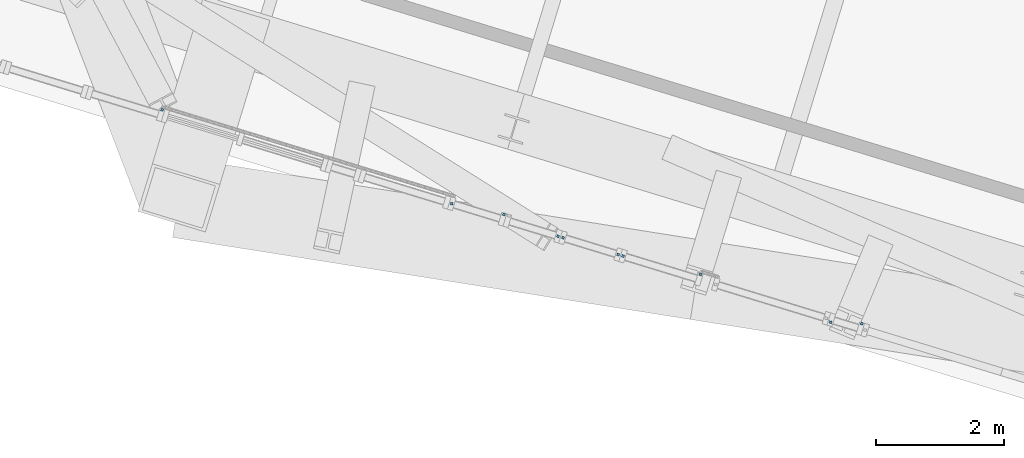
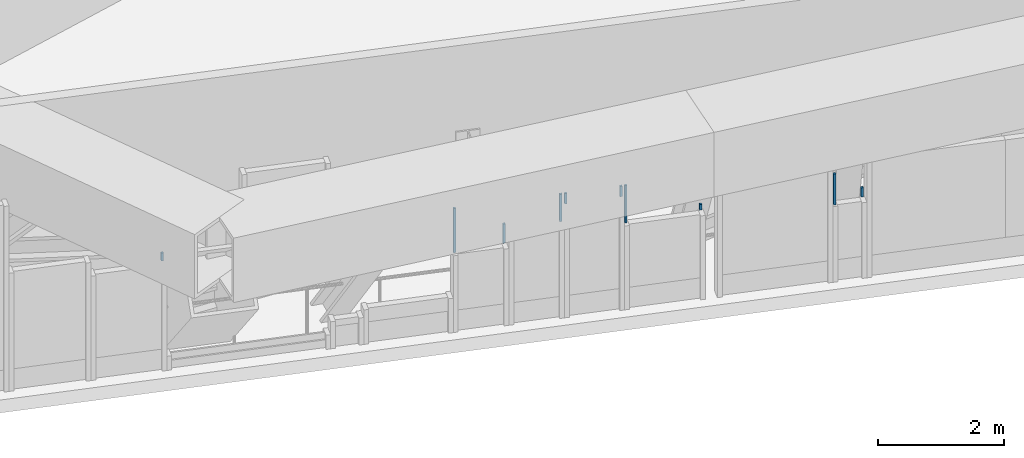
# One storey, part 23 of 31: 10 discrete accessories.
"""IFC4 building model written with IfcOpenShell, lengths in metres."""

import ifcopenshell
import ifcopenshell.guid

model = None  # the IFC model being written
_history = None  # IfcOwnerHistory: only IFC2X3 demands one
_inside = {}  # id of a spatial element -> (the spatial element, [elements in it])
_under = {}  # id of a project, library or spatial element -> (it, [spatial elements below it])
_declared = {}  # id of a project -> (the project, [libraries it declares])
_typed = {}  # id of a type object -> (the type object, [elements of that type])
_made_of = {}  # id of a material, layer set ... -> (it, [elements and type objects made of it])


def new_model(schema):
    """Start an empty IFC model of exactly this schema.

    Asked for "IFC4X3", IfcOpenShell would pick the latest addendum, in which some entities
    have other attributes; the version numbers below select the first issue.
    IFC2X3 requires an IfcOwnerHistory on every rooted entity: one is made here for all.
    """
    global model, _history
    if schema == "IFC4X3":
        model = ifcopenshell.file(schema_version=(4, 3, 0, 0))
    else:
        model = ifcopenshell.file(schema=schema)
    _inside.clear()
    _under.clear()
    _declared.clear()
    _typed.clear()
    _made_of.clear()
    _history = None
    if model.schema == "IFC2X3":
        org = make("IfcOrganization", Name="unknown")
        user = make(
            "IfcPersonAndOrganization",
            ThePerson=make("IfcPerson", FamilyName="unknown"),
            TheOrganization=org,
        )
        app = make(
            "IfcApplication",
            ApplicationDeveloper=org,
            Version="unknown",
            ApplicationFullName="unknown",
            ApplicationIdentifier="unknown",
        )
        _history = make(
            "IfcOwnerHistory",
            OwningUser=user,
            OwningApplication=app,
            ChangeAction="ADDED",
            CreationDate=0,
        )
    return model


def make(cls, **values):
    """One entity of the class cls with the attributes given. An attribute that is None is left unset."""
    return model.create_entity(
        cls, **{name: value for name, value in values.items() if value is not None}
    )


def rooted(cls, **values):
    """An entity with a GlobalId (a new one), such as an element, a storey or a relation."""
    return make(cls, GlobalId=ifcopenshell.guid.new(), OwnerHistory=_history, **values)


def si_unit(unit_type, name, prefix=None):
    """IfcSIUnit, for example si_unit("LENGTHUNIT", "METRE", prefix="MILLI")."""
    return make("IfcSIUnit", UnitType=unit_type, Prefix=prefix, Name=name)


def assignment(units):
    """IfcUnitAssignment: the units of a project."""
    return None if units is None else make("IfcUnitAssignment", Units=units)


def point(xyz):
    """IfcCartesianPoint."""
    return None if xyz is None else make("IfcCartesianPoint", Coordinates=xyz)


def direction(xyz):
    """IfcDirection."""
    return None if xyz is None else make("IfcDirection", DirectionRatios=xyz)


def frame(location, z_axis=None, x_axis=None):
    """IfcAxis2Placement3D, a coordinate frame: its origin and axes. An axis left out is left unset."""
    return make(
        "IfcAxis2Placement3D",
        Location=point(location),
        Axis=direction(z_axis),
        RefDirection=direction(x_axis),
    )


def frame_2d(location, x_axis=None):
    """IfcAxis2Placement2D, a coordinate frame in the plane: its origin and x axis."""
    return make(
        "IfcAxis2Placement2D", Location=point(location), RefDirection=direction(x_axis)
    )


def origin():
    """The frame at (0, 0, 0) with its axes left unset."""
    return frame((0.0, 0.0, 0.0))


def origin_2d():
    """The frame at (0, 0) in the plane with its x axis left unset."""
    return frame_2d((0.0, 0.0))


def place(relative_to, where):
    """IfcLocalPlacement: puts the frame where relative to a parent placement (None: the world)."""
    return make(
        "IfcLocalPlacement", PlacementRelTo=relative_to, RelativePlacement=where
    )


def context(
    kind, dimensions, precision=None, world=None, true_north=None, identifier=None
):
    """IfcGeometricRepresentationContext, for example the 3D "Model" context."""
    return make(
        "IfcGeometricRepresentationContext",
        ContextIdentifier=identifier,
        ContextType=kind,
        CoordinateSpaceDimension=dimensions,
        Precision=precision,
        WorldCoordinateSystem=world,
        TrueNorth=true_north,
    )


def subcontext(parent, identifier, kind, view, scale=None):
    """IfcGeometricRepresentationSubContext, for example "Body" below "Model"."""
    return make(
        "IfcGeometricRepresentationSubContext",
        ContextIdentifier=identifier,
        ContextType=kind,
        ParentContext=parent,
        TargetScale=scale,
        TargetView=view,
    )


def project(units=None, contexts=None):
    """IfcProject with its units and contexts."""
    return rooted(
        "IfcProject",
        Name="project",
        RepresentationContexts=contexts,
        UnitsInContext=assignment(units),
    )


def spatial(cls, under=None, at=None, **own):
    """A site, building, storey or space (cls), placed at a placement, below another one or the project."""
    s = rooted(cls, ObjectPlacement=at, **own)
    if under is not None:
        _under.setdefault(under.id(), (under, []))[1].append(s)
    return s


def profile(cls, at=None, kind="AREA", **sizes):
    """A parametric profile (cls). Its sizes go by their IFC names, for example OverallWidth=200.0."""
    return make(cls, ProfileType=kind, Position=at, **sizes)


def rectangle(**sizes):
    """IfcRectangleProfileDef."""
    return profile("IfcRectangleProfileDef", **sizes)


def extrude(swept, where, along, depth):
    """IfcExtrudedAreaSolid: the profile swept, set in the frame where, extruded along a direction by depth."""
    return make(
        "IfcExtrudedAreaSolid",
        SweptArea=swept,
        Position=where,
        ExtrudedDirection=direction(along),
        Depth=depth,
    )


def shape(context_of_items, identifier, shape_type, items):
    """IfcShapeRepresentation: the items that make up one representation, for example the "Body"."""
    return make(
        "IfcShapeRepresentation",
        ContextOfItems=context_of_items,
        RepresentationIdentifier=identifier,
        RepresentationType=shape_type,
        Items=items,
    )


def source(mapping_origin, context_of_items, identifier, shape_type, items):
    """IfcRepresentationMap: a shape defined once, which mapped items show again and again."""
    return make(
        "IfcRepresentationMap",
        MappingOrigin=mapping_origin,
        MappedRepresentation=shape(context_of_items, identifier, shape_type, items),
    )


def transform(
    local_origin,
    x_axis=None,
    y_axis=None,
    z_axis=None,
    scale=None,
    scale2=None,
    scale3=None,
    uniform=True,
):
    """IfcCartesianTransformationOperator3D, or its non-uniform kind. x_axis, y_axis, z_axis: its Axis1, 2, 3."""
    if uniform:
        return make(
            "IfcCartesianTransformationOperator3D",
            Axis1=direction(x_axis),
            Axis2=direction(y_axis),
            LocalOrigin=point(local_origin),
            Scale=scale,
            Axis3=direction(z_axis),
        )
    return make(
        "IfcCartesianTransformationOperator3DnonUniform",
        Axis1=direction(x_axis),
        Axis2=direction(y_axis),
        LocalOrigin=point(local_origin),
        Scale=scale,
        Axis3=direction(z_axis),
        Scale2=scale2,
        Scale3=scale3,
    )


def mapped(mapping_source, mapping_target):
    """IfcMappedItem: shows the shape of a source again, moved by a transform."""
    return make(
        "IfcMappedItem", MappingSource=mapping_source, MappingTarget=mapping_target
    )


def material(Name=None, Category=None):
    """IfcMaterial."""
    return make("IfcMaterial", Name=Name, Category=Category)


def made_of(thing, what):
    """Note that an element or type object is made of a material, layer set ...; save() writes the relation."""
    if what is not None:
        _made_of.setdefault(what.id(), (what, []))[1].append(thing)
    return thing


def element(
    cls,
    number,
    at=None,
    inside=None,
    cuts=None,
    type_object=None,
    material=None,
    context=None,
    identifier="Body",
    shape_type=None,
    held_by="IfcProductDefinitionShape",
    body=None,
    shapes=None,
    **own,
):
    """One element of the class cls, such as IfcWall. Its Tag is "e" and its number.

    at: its placement. inside: the storey or other place that contains it. cuts: it is an
    opening in that element (IfcRelVoidsElement). A single representation is given by context,
    identifier, shape_type and body (its items); several are given by shapes. held_by: the class
    of the entity that holds the representations. save() writes the other relations.
    """
    e = rooted(cls, Tag="e%d" % number, ObjectPlacement=at, **own)
    if body is not None:
        shapes = [shape(context, identifier, shape_type, body)]
    if shapes is not None:
        e.Representation = make(held_by, Representations=shapes)
    if inside is not None:
        _inside.setdefault(inside.id(), (inside, []))[1].append(e)
    if cuts is not None:
        rooted(
            "IfcRelVoidsElement", RelatingBuildingElement=cuts, RelatedOpeningElement=e
        )
    if type_object is not None:
        _typed.setdefault(type_object.id(), (type_object, []))[1].append(e)
    return made_of(e, material)


def aggregate(whole, parts):
    """IfcRelAggregates: a whole, such as a stair, and the parts it consists of."""
    return rooted("IfcRelAggregates", RelatingObject=whole, RelatedObjects=parts)


def save(model, path):
    """Write the relations noted so far, then the file.

    IfcRelAggregates (storeys below a building ...), IfcRelContainedInSpatialStructure (elements
    in a storey), IfcRelDefinesByType, IfcRelAssociatesMaterial and IfcRelDeclares: one each for
    every whole, place, type object, material and project.
    """
    for whole, parts in _under.values():
        aggregate(whole, parts)
    for where, things in _inside.values():
        rooted(
            "IfcRelContainedInSpatialStructure",
            RelatedElements=things,
            RelatingStructure=where,
        )
    for kind, things in _typed.values():
        rooted("IfcRelDefinesByType", RelatedObjects=things, RelatingType=kind)
    for what, things in _made_of.values():
        rooted("IfcRelAssociatesMaterial", RelatedObjects=things, RelatingMaterial=what)
    for by, libraries in _declared.values():
        rooted("IfcRelDeclares", RelatingContext=by, RelatedDefinitions=libraries)
    model.write(path)


model = new_model("IFC4")

# Units and contexts
model_context = context("Model", 3, precision=1e-05, world=origin(), true_north=direction((0.0, 1.0)))
body_context = subcontext(model_context, "Body", "Model", "MODEL_VIEW")
ifc_project = project(units=[si_unit("LENGTHUNIT", "METRE"), si_unit("AREAUNIT", "SQUARE_METRE"), si_unit("VOLUMEUNIT", "CUBIC_METRE"), si_unit("PLANEANGLEUNIT", "RADIAN"), si_unit("MASSUNIT", "GRAM", prefix="KILO")], contexts=[model_context])

# Site, building, storey
site_placement = place(None, origin())
site = spatial("IfcSite", under=ifc_project, at=site_placement, CompositionType="ELEMENT")
building_placement = place(site_placement, origin())
building = spatial("IfcBuilding", under=site, at=building_placement, Name="Triune Harvest Tower", CompositionType="ELEMENT")
storey_placement = place(building_placement, frame((0.0, 0.0, 134.300048828125)))
storey = spatial("IfcBuildingStorey", under=building, at=storey_placement, Name="L34", CompositionType="ELEMENT", Elevation=134.300048828125)

# Discrete accessories
ifc_material = material(Name="Steel ASTM A992 Gr 50", Category="steel")
shared_shape_1 = source(origin(), body_context, "Body", "SweptSolid", [
    extrude(rectangle(XDim=0.0400390625, YDim=0.0400390625, at=origin_2d()), origin(), (0.0, 0.0, 1.0), 0.8623046875),
])
discrete_accessory_1_placement = place(storey_placement, frame((-23.0908203125, -15.970947265625, 1.487548828125), z_axis=(0.0, 0.0, 1.0), x_axis=(0.956313940619, -0.292341661379, 0.0)))
element("IfcDiscreteAccessory", 1, at=discrete_accessory_1_placement, inside=storey, material=ifc_material, Name="Mullion end bracket B3-F5 L34.701 upper", ObjectType="BRACKET", PredefinedType="USERDEFINED", context=body_context, shape_type="MappedRepresentation", body=[
    mapped(shared_shape_1, transform((0.0, 0.0, 0.0), scale=1.0)),
])
shared_shape_2 = source(origin(), body_context, "Body", "SweptSolid", [
    extrude(rectangle(XDim=0.0400390625, YDim=0.0400390625, at=origin_2d()), origin(), (0.0, 0.0, 1.0), 0.53271484375),
])
discrete_accessory_2_placement = place(storey_placement, frame((-21.43310546875, -16.477783203125, 1.817138671875), z_axis=(0.0, 0.0, 1.0), x_axis=(0.95628281102, -0.292443473766, 0.0)))
element("IfcDiscreteAccessory", 2, at=discrete_accessory_2_placement, inside=storey, material=ifc_material, Name="Mullion end bracket B3-F5 L34.801 upper", ObjectType="BRACKET", PredefinedType="USERDEFINED", context=body_context, shape_type="MappedRepresentation", body=[
    mapped(shared_shape_2, transform((0.0, 0.0, 0.0), scale=1.0)),
])
shared_shape_3 = source(origin(), body_context, "Body", "SweptSolid", [
    extrude(rectangle(XDim=0.0400390625, YDim=0.0400390625, at=origin_2d()), origin(), (0.0, 0.0, 1.0), 0.203369140625),
])
for number, where, z_axis, x_axis, name in (
    (3, (-21.3564453125, -16.501220703125, 2.146484375), (0.0, 0.0, 1.0), (0.956293528991, -0.292408423974, 0.0), "Mullion end bracket B3-F5 L34.901 upper"),
    (4, (-20.49560546875, -16.764404296875, 2.146484375), (0.0, 0.0, 1.0), (0.956293528991, -0.292408423974, 0.0), "Mullion end bracket B3-F5 L34.901 upper"),
):
    element("IfcDiscreteAccessory", number, at=place(storey_placement, frame(where, z_axis=z_axis, x_axis=x_axis)), inside=storey, material=ifc_material, Name=name, ObjectType="BRACKET", PredefinedType="USERDEFINED", context=body_context, shape_type="MappedRepresentation", body=[
        mapped(shared_shape_3, transform((0.0, 0.0, 0.0), scale=1.0)),
    ])
shared_shape_4 = source(origin(), body_context, "Body", "SweptSolid", [
    extrude(rectangle(XDim=0.0400390625, YDim=0.0400390625, at=origin_2d()), origin(), (0.0, 0.0, 1.0), 0.724609375),
])
discrete_accessory_3_placement = place(storey_placement, frame((-20.419189453125, -16.787841796875, 1.625244140625), z_axis=(0.0, 0.0, 1.0), x_axis=(0.956307307351, -0.292363359378, 0.0)))
element("IfcDiscreteAccessory", 5, at=discrete_accessory_3_placement, inside=storey, material=ifc_material, Name="Mullion end bracket B3-F5 L34.1001 upper", ObjectType="BRACKET", PredefinedType="USERDEFINED", context=body_context, shape_type="MappedRepresentation", body=[
    mapped(shared_shape_4, transform((0.0, 0.0, 0.0), scale=1.0)),
])
discrete_accessory_4_placement = place(storey_placement, frame((-27.60595703125, -14.5068359375, 2.0224609375), z_axis=(0.0, 0.0, 1.0), x_axis=(0.956291487571, -0.292415100155, 0.0)))
element("IfcDiscreteAccessory", 6, at=discrete_accessory_4_placement, inside=storey, material=ifc_material, Name="Mullion end bracket B3-F5 L34.201 upper", ObjectType="BRACKET", PredefinedType="USERDEFINED", context=body_context, shape_type="SweptSolid", body=[
    extrude(rectangle(XDim=0.0400390625, YDim=0.0400390625, at=origin_2d()), origin(), (0.0, 0.0, 1.0), 0.151123046875),
])
discrete_accessory_5_placement = place(storey_placement, frame((-22.27685546875, -16.135986328125, 1.487548828125), z_axis=(0.0, 0.0, 1.0), x_axis=(0.956313940619, -0.292341661379, 0.0)))
element("IfcDiscreteAccessory", 7, at=discrete_accessory_5_placement, inside=storey, material=ifc_material, Name="Mullion end bracket B3-F5 L34.701 upper", ObjectType="BRACKET", PredefinedType="USERDEFINED", context=body_context, shape_type="SweptSolid", body=[
    extrude(rectangle(XDim=0.0400390625, YDim=0.0400390625, at=origin_2d()), origin(), (0.0, 0.0, 1.0), 0.37060546875),
])
discrete_accessory_6_placement = place(storey_placement, frame((-19.2119140625, -17.0732421875, 1.625244140625), z_axis=(0.0, 0.0, 1.0), x_axis=(0.956307307351, -0.292363359378, 0.0)))
element("IfcDiscreteAccessory", 8, at=discrete_accessory_6_placement, inside=storey, material=ifc_material, Name="Mullion end bracket B3-F5 L34.1001 upper", ObjectType="BRACKET", PredefinedType="USERDEFINED", context=body_context, shape_type="SweptSolid", body=[
    extrude(rectangle(XDim=0.0400390625, YDim=0.0400390625, at=origin_2d()), origin(), (0.0, 0.0, 1.0), 0.111328125),
])
discrete_accessory_7_placement = place(storey_placement, frame((-17.18359375, -17.818603515625, 1.466796875), z_axis=(0.0, 0.0, 1.0), x_axis=(0.956297101362, -0.292396740623, 0.0)))
element("IfcDiscreteAccessory", 9, at=discrete_accessory_7_placement, inside=storey, material=ifc_material, Name="Mullion end bracket B3-F5 L34.1201 upper", ObjectType="BRACKET", PredefinedType="USERDEFINED", context=body_context, shape_type="SweptSolid", body=[
    extrude(rectangle(XDim=0.0400390625, YDim=0.0400390625, at=origin_2d()), origin(), (0.0, 0.0, 1.0), 0.599365234375),
])
discrete_accessory_8_placement = place(storey_placement, frame((-16.69580078125, -17.842529296875, 1.466796875), z_axis=(0.0, 0.0, 1.0), x_axis=(0.956297101362, -0.292396740623, 0.0)))
element("IfcDiscreteAccessory", 10, at=discrete_accessory_8_placement, inside=storey, material=ifc_material, Name="Mullion end bracket B3-F5 L34.1201 upper", ObjectType="BRACKET", PredefinedType="USERDEFINED", context=body_context, shape_type="SweptSolid", body=[
    extrude(rectangle(XDim=0.0400390625, YDim=0.0400390625, at=origin_2d()), origin(), (0.0, 0.0, 1.0), 0.177490234375),
])

save(model, "model.ifc")
